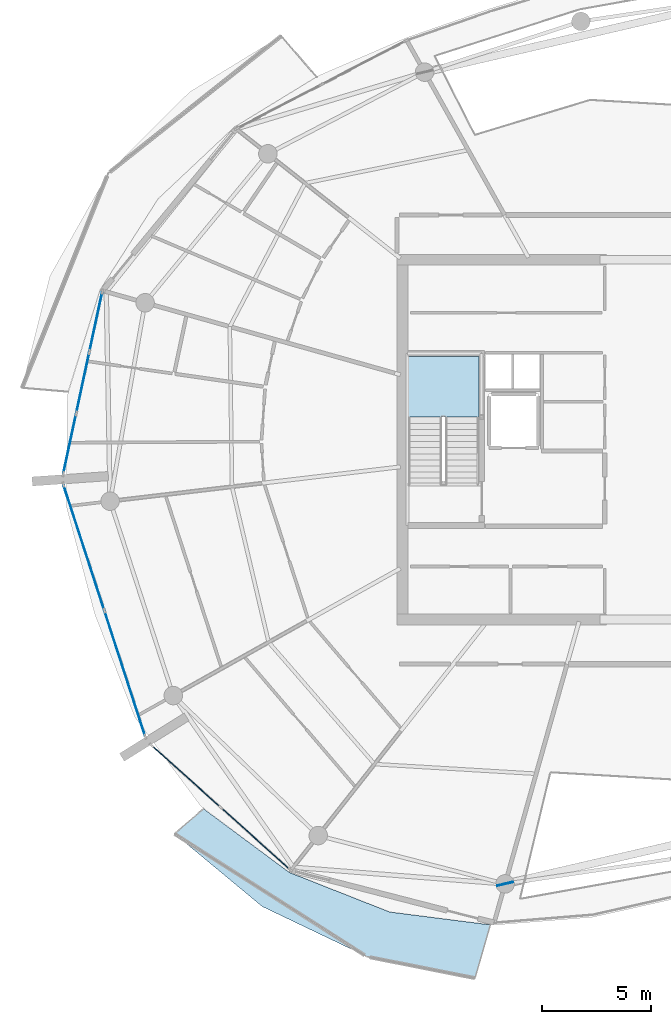
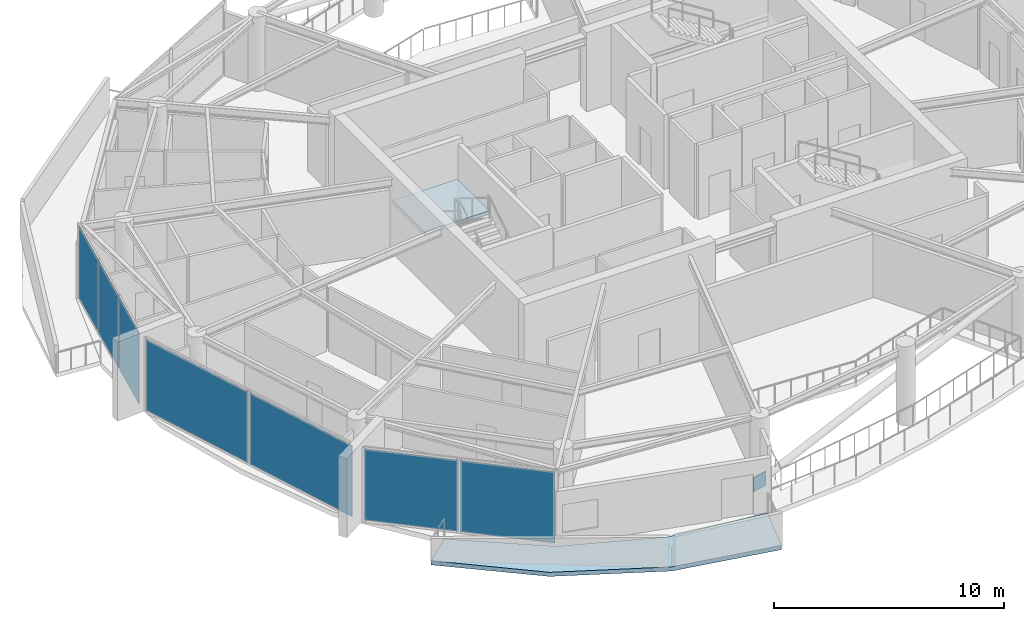
# One storey, part 9 of 22: 8 plates, 2 slabs, 4 elements without a shape of their own.
"""IFC4 building model written with IfcOpenShell, lengths in metres."""

from ifc_helpers import new_model, si_unit, direction, frame, origin, origin_2d, place, context, subcontext, project, spatial, polyline, rectangle, outline, extrude, material, layer, layer_set, type_object, element, aggregate, save


model = new_model("IFC4")

# Units and contexts
model_context = context("Model", 3, precision=1e-05, world=origin(), true_north=direction((0.0, 1.0)))
body_context = subcontext(model_context, "Body", "Model", "MODEL_VIEW")
ifc_project = project(units=[si_unit("LENGTHUNIT", "METRE"), si_unit("AREAUNIT", "SQUARE_METRE"), si_unit("VOLUMEUNIT", "CUBIC_METRE"), si_unit("PLANEANGLEUNIT", "RADIAN"), si_unit("MASSUNIT", "GRAM", prefix="KILO")], contexts=[model_context])

# Site, building, storey
site_placement = place(None, origin())
site = spatial("IfcSite", under=ifc_project, at=site_placement, CompositionType="ELEMENT")
building_placement = place(site_placement, origin())
building = spatial("IfcBuilding", under=site, at=building_placement, Name="Kazma Halo Residences", CompositionType="ELEMENT")
storey_placement = place(building_placement, frame((0.0, 0.0, 330.5)))
storey = spatial("IfcBuildingStorey", under=building, at=storey_placement, Name="L83", CompositionType="ELEMENT", Elevation=330.5)

# Curtain wall, plates
ifc_material_1 = material(Name="Aluminium AW-6063 T6 and Triple-Silver Low-E Glass", Category="aluminium")
ifc_layer_1 = layer(ifc_material_1, 0.239990234375)
ifc_layer_set_1 = layer_set([ifc_layer_1], Name="Aluminium AW-6063 T6 and Triple-Silver Low-E Glass")
curtain_wall_type = type_object("IfcCurtainWallType", Name="CW-SYS-6", PredefinedType="NOTDEFINED", material=ifc_layer_set_1)
curtain_wall_1_placement = place(storey_placement, origin())
curtain_wall_1 = element("IfcCurtainWall", 1, at=curtain_wall_1_placement, inside=storey, type_object=curtain_wall_type, Name="L83 unitised curtain wall B07", PredefinedType="NOTDEFINED")
ifc_material_2 = material(Name="Clear Triple-Silver Low-E Glass IGU", Category="glass")
ifc_layer_2 = layer(ifc_material_2, 0.035888671875)
ifc_layer_set_2 = layer_set([ifc_layer_2], Name="Clear Triple-Silver Low-E Glass IGU")
plate_type_1 = type_object("IfcPlateType", Name="CW-SYS-6-PNL", PredefinedType="CURTAIN_PANEL", material=ifc_layer_set_2)
plate_1_placement = place(storey_placement, frame((23.486572265625, 47.40087890625, 0.080078125), z_axis=(0.0, 0.0, 1.0), x_axis=(-0.209722888986, -0.977760865363, 0.0)))
plate_1 = element("IfcPlate", 2, at=plate_1_placement, type_object=plate_type_1, Name="CWS-6 panel 1.1", PredefinedType="CURTAIN_PANEL", context=body_context, shape_type="SweptSolid", body=[
    extrude(rectangle(XDim=2.7578125, YDim=0.035888671875, at=origin_2d()), origin(), (0.0, 0.0, 1.0), 3.780029296875),
])
plate_2_placement = place(storey_placement, frame((22.88720703125, 44.6064453125, 0.080078125), z_axis=(0.0, 0.0, 1.0), x_axis=(-0.209722888986, -0.977760865363, 0.0)))
plate_2 = element("IfcPlate", 3, at=plate_2_placement, type_object=plate_type_1, Name="CWS-6 panel 2.1", PredefinedType="CURTAIN_PANEL", context=body_context, shape_type="SweptSolid", body=[
    extrude(rectangle(XDim=2.7978515625, YDim=0.035888671875, at=origin_2d()), origin(), (0.0, 0.0, 1.0), 3.780029296875),
])
plate_3_placement = place(storey_placement, frame((22.287841796875, 41.812255859375, 0.080078125), z_axis=(0.0, 0.0, 1.0), x_axis=(-0.209722888986, -0.977760865363, 0.0)))
plate_3 = element("IfcPlate", 4, at=plate_3_placement, type_object=plate_type_1, Name="CWS-6 panel 3.1", PredefinedType="CURTAIN_PANEL", context=body_context, shape_type="SweptSolid", body=[
    extrude(rectangle(XDim=2.7578125, YDim=0.035888671875, at=origin_2d()), origin(), (0.0, 0.0, 1.0), 3.780029296875),
])
aggregate(curtain_wall_1, [plate_1, plate_2, plate_3])

curtain_wall_2_placement = place(storey_placement, origin())
curtain_wall_2 = element("IfcCurtainWall", 5, at=curtain_wall_2_placement, inside=storey, type_object=curtain_wall_type, Name="L83 unitised curtain wall B08", PredefinedType="NOTDEFINED")
plate_4_placement = place(storey_placement, frame((22.939208984375, 37.0498046875, 0.080078125), z_axis=(0.0, 0.0, 1.0), x_axis=(0.309018932797, -0.951055886462, 0.0)))
plate_4 = element("IfcPlate", 6, at=plate_4_placement, type_object=plate_type_1, Name="CWS-6 panel 1.1", PredefinedType="CURTAIN_PANEL", context=body_context, shape_type="SweptSolid", body=[
    extrude(rectangle(XDim=5.99267578125, YDim=0.035888671875, at=origin_2d()), origin(), (0.0, 0.0, 1.0), 3.780029296875),
])
plate_5_placement = place(storey_placement, frame((24.81591796875, 31.2744140625, 0.080078125), z_axis=(0.0, 0.0, 1.0), x_axis=(0.309018932797, -0.951055886462, 0.0)))
plate_5 = element("IfcPlate", 7, at=plate_5_placement, type_object=plate_type_1, Name="CWS-6 panel 2.1", PredefinedType="CURTAIN_PANEL", context=body_context, shape_type="SweptSolid", body=[
    extrude(rectangle(XDim=5.99267578125, YDim=0.035888671875, at=origin_2d()), origin(), (0.0, 0.0, 1.0), 3.780029296875),
])
aggregate(curtain_wall_2, [plate_4, plate_5])

curtain_wall_3_placement = place(storey_placement, origin())
curtain_wall_3 = element("IfcCurtainWall", 8, at=curtain_wall_3_placement, inside=storey, type_object=curtain_wall_type, Name="L83 unitised curtain wall B09", PredefinedType="NOTDEFINED")
plate_6_placement = place(storey_placement, frame((27.62353515625, 26.55810546875, 0.080078125), z_axis=(0.0, 0.0, 1.0), x_axis=(0.744378829791, -0.667757559118, 0.0)))
plate_6 = element("IfcPlate", 9, at=plate_6_placement, type_object=plate_type_1, Name="CWS-6 panel 1.1", PredefinedType="CURTAIN_PANEL", context=body_context, shape_type="SweptSolid", body=[
    extrude(rectangle(XDim=4.19677734375, YDim=0.035888671875, at=origin_2d()), origin(), (0.0, 0.0, 1.0), 3.780029296875),
])
plate_7_placement = place(storey_placement, frame((30.80712890625, 23.702392578125, 0.080078125), z_axis=(0.0, 0.0, 1.0), x_axis=(0.744378829791, -0.667757559118, 0.0)))
plate_7 = element("IfcPlate", 10, at=plate_7_placement, type_object=plate_type_1, Name="CWS-6 panel 2.1", PredefinedType="CURTAIN_PANEL", context=body_context, shape_type="SweptSolid", body=[
    extrude(rectangle(XDim=4.19677734375, YDim=0.035888671875, at=origin_2d()), origin(), (0.0, 0.0, 1.0), 3.780029296875),
])
aggregate(curtain_wall_3, [plate_6, plate_7])

# Plate
ifc_material_3 = material(Name="Steel S355", Category="steel")
ifc_layer_3 = layer(ifc_material_3, 0.0400390625)
ifc_layer_set_3 = layer_set([ifc_layer_3], Name="Steel S355")
plate_type_2 = type_object("IfcPlateType", Name="PLT-GUSSET-40", PredefinedType="SHEET", material=ifc_layer_set_3)
plate_8_placement = place(storey_placement, frame((42.25341796875, 21.62353515625, -0.074951171875), z_axis=(0.0, 0.0, 1.0), x_axis=(0.974083647521, 0.226188080216, 0.0)))
element("IfcPlate", 11, at=plate_8_placement, inside=storey, type_object=plate_type_2, Name="L83 wind-portal lower gusset SSE", PredefinedType="SHEET", context=body_context, shape_type="SweptSolid", body=[
    extrude(rectangle(XDim=0.75, YDim=0.0400390625, at=origin_2d()), origin(), (0.0, 0.0, 1.0), 0.75),
])

# Slab
ifc_material_4 = material(Name="White Concrete C50/60", Category="concrete")
ifc_layer_4 = layer(ifc_material_4, 0.219970703125)
ifc_layer_set_4 = layer_set([ifc_layer_4], Name="White Concrete C50/60")
slab_type_1 = type_object("IfcSlabType", Name="SLB-BAL-WAVE-210", PredefinedType="FLOOR", material=ifc_layer_set_4)
slab_1_placement = place(storey_placement, frame((0.0, 0.0, -0.219970703125)))
element("IfcSlab", 12, at=slab_1_placement, inside=storey, type_object=slab_type_1, Name="L83 SW cantilevered wave balcony slab", PredefinedType="FLOOR", context=body_context, shape_type="SweptSolid", body=[
    extrude(outline(polyline([(28.421630859375, 25.070556640625), (32.35302734375, 22.152099609375), (36.961181640625, 20.335205078125), (41.57666015625, 19.745849609375), (40.872314453125, 17.30517578125), (35.91845703125, 18.28857421875), (31.1171875, 20.583984375), (27.093017578125, 23.921630859375), (28.421630859375, 25.070556640625)])), origin(), (0.0, 0.0, 1.0), 0.219970703125),
])

# Stair, slab
ifc_material_5 = material(Name="Concrete C50/60", Category="concrete")
stair_type = type_object("IfcStairType", Name="STR-RES2", PredefinedType="HALF_TURN_STAIR", material=ifc_material_5)
stair_placement = place(storey_placement, origin())
stair = element("IfcStair", 13, at=stair_placement, inside=storey, type_object=stair_type, Name="L83 Core exit stair ST-01", PredefinedType="HALF_TURN_STAIR")
ifc_layer_5 = layer(ifc_material_5, 0.199951171875)
ifc_layer_set_5 = layer_set([ifc_layer_5], Name="Concrete C50/60")
slab_type_2 = type_object("IfcSlabType", Name="SLB-STAIR-LND-200", PredefinedType="LANDING", material=ifc_layer_set_5)
slab_2_placement = place(storey_placement, frame((0.0, 0.0, 1.89990234375)))
slab_2 = element("IfcSlab", 14, at=slab_2_placement, type_object=slab_type_2, Name="ST-01 landing 1", PredefinedType="LANDING", context=body_context, shape_type="SweptSolid", body=[
    extrude(outline(polyline([(41.050048828125, 43.030029296875), (41.050048828125, 45.800048828125), (37.800048828125, 45.800048828125), (37.800048828125, 43.030029296875), (41.050048828125, 43.030029296875)])), origin(), (0.0, 0.0, 1.0), 0.2001953125),
])
aggregate(stair, [slab_2])

save(model, "model.ifc")
